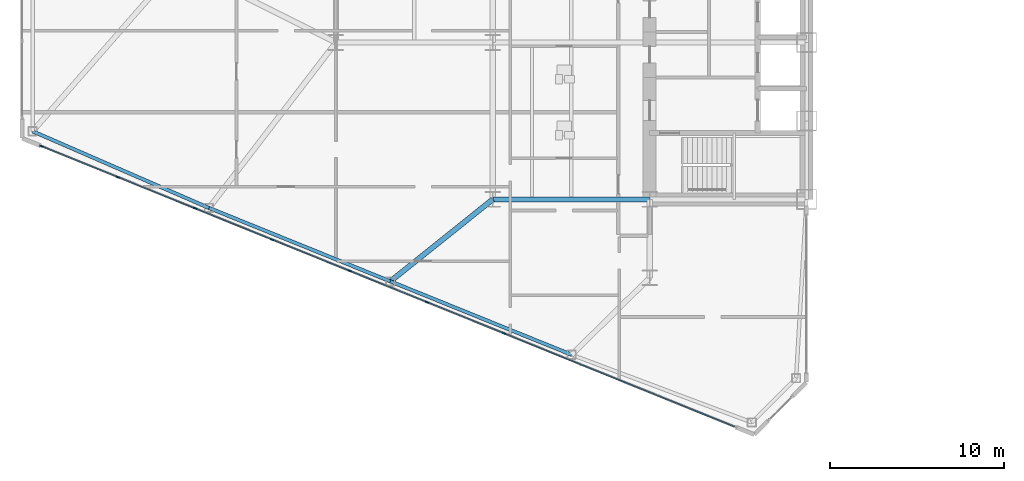
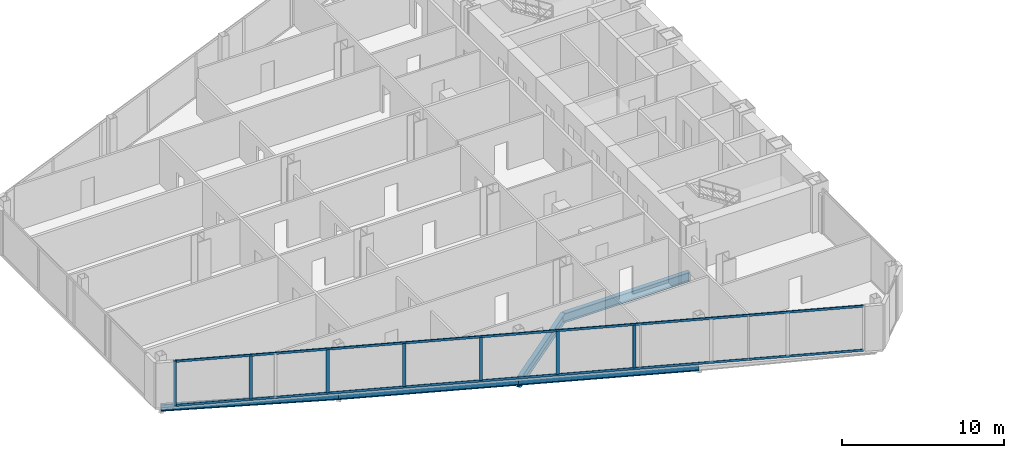
# One storey, part 3 of 25: 9 members, 5 beams, 1 element without a shape of its own.
"""IFC4 building model written with IfcOpenShell, lengths in metres."""

from ifc_helpers import new_model, si_unit, direction, frame, origin, origin_2d, place, context, subcontext, project, spatial, rectangle, i_section, extrude, source, transform, mapped, material, layer, layer_set, material_profile, profile_set, type_object, type_shapes, element, aggregate, save


model = new_model("IFC4")

# Units and contexts
model_context = context("Model", 3, precision=1e-05, world=origin(), true_north=direction((0.0, 1.0)))
body_context = subcontext(model_context, "Body", "Model", "MODEL_VIEW")
ifc_project = project(units=[si_unit("LENGTHUNIT", "METRE"), si_unit("AREAUNIT", "SQUARE_METRE"), si_unit("VOLUMEUNIT", "CUBIC_METRE"), si_unit("PLANEANGLEUNIT", "RADIAN"), si_unit("MASSUNIT", "GRAM", prefix="KILO")], contexts=[model_context])

# Site, building, storey
site_placement = place(None, origin())
site = spatial("IfcSite", under=ifc_project, at=site_placement, CompositionType="ELEMENT")
building_placement = place(site_placement, origin())
building = spatial("IfcBuilding", under=site, at=building_placement, Name="Seokmaru Belvedere", CompositionType="ELEMENT")
storey_placement = place(building_placement, frame((0.0, 0.0, 47.699951171875)))
storey = spatial("IfcBuildingStorey", under=building, at=storey_placement, Name="L12", CompositionType="ELEMENT", Elevation=47.699951171875)

# Beams
ifc_material_1 = material(Name="Steel SM355 (355 MPa)", Category="steel")
ifc_material_profile_1 = material_profile(ifc_material_1, i_section(OverallWidth=0.300048828125, OverallDepth=0.699951171875, WebThickness=0.012939453125, FlangeThickness=0.02392578125, at=origin_2d()), Name="H-700x300x13x24")
ifc_profile_set_1 = profile_set([ifc_material_profile_1], Name="Steel SM355 (355 MPa)")
beam_type_1 = type_object("IfcBeamType", Name="Primary Floor Girder H-700", PredefinedType="BEAM", material=ifc_profile_set_1)
shared_shape_1 = source(origin(), body_context, "Body", "SweptSolid", [
    extrude(i_section(OverallWidth=0.300048828125, OverallDepth=0.699951171875, WebThickness=0.012939453125, FlangeThickness=0.02392578125, at=origin_2d()), origin(), (0.0, 0.0, 1.0), 9.0),
])
beam_1_placement = place(storey_placement, frame((-45.5, -13.5, -0.570068359375), z_axis=(1.0, 0.0, 0.0), x_axis=(0.0, 1.0, 0.0)))
element("IfcBeam", 1, at=beam_1_placement, inside=storey, type_object=beam_type_1, Name="L12 W Wing Primary Girder 1", PredefinedType="BEAM", context=body_context, shape_type="MappedRepresentation", body=[
    mapped(shared_shape_1, transform((0.0, 0.0, 0.0), scale=1.0)),
])
ifc_material_profile_2 = material_profile(ifc_material_1, i_section(OverallWidth=0.199951171875, OverallDepth=0.5, WebThickness=0.010009765625, FlangeThickness=0.01611328125, at=origin_2d()), Name="H-500x200x10x16")
ifc_profile_set_2 = profile_set([ifc_material_profile_2], Name="Steel SM355 (355 MPa)")
beam_type_2 = type_object("IfcBeamType", Name="Perimeter Spandrel Beam H-500", PredefinedType="SPANDREL", material=ifc_profile_set_2)
shared_shape_2 = source(origin(), body_context, "Body", "SweptSolid", [
    extrude(i_section(OverallWidth=0.199951171875, OverallDepth=0.5, WebThickness=0.010009765625, FlangeThickness=0.01611328125, at=origin_2d()), origin(), (0.0, 0.0, 1.0), 11.220703125),
])
for number, where, z_axis, x_axis, name in (
    (2, (-40.977294921875, -22.4140625, -0.469970703125), (-0.926944290816, 0.375198989503, 0.0), (-0.375198989503, -0.926944290816, 0.0), "L12 W Faceted Flank Spandrel S-2"),
    (3, (-51.378173828125, -18.2041015625, -0.469970703125), (-0.926944290816, 0.375198989503, 0.0), (-0.375198989503, -0.926944290816, 0.0), "L12 W Faceted Flank Spandrel S-3"),
):
    element("IfcBeam", number, at=place(storey_placement, frame(where, z_axis=z_axis, x_axis=x_axis)), inside=storey, type_object=beam_type_2, Name=name, PredefinedType="SPANDREL", context=body_context, shape_type="MappedRepresentation", body=[
        mapped(shared_shape_2, transform((0.0, 0.0, 0.0), scale=1.0)),
    ])
shared_shape_3 = source(origin(), body_context, "Body", "SweptSolid", [
    extrude(i_section(OverallWidth=0.199951171875, OverallDepth=0.5, WebThickness=0.010009765625, FlangeThickness=0.01611328125, at=origin_2d()), origin(), (0.0, 0.0, 1.0), 11.035400390625),
])
type_shapes(beam_type_2, [shared_shape_2, shared_shape_3])
beam_2_placement = place(storey_placement, frame((-61.779052734375, -13.994140625, -0.469970703125), z_axis=(-0.917134058682, 0.398578873507, 0.0), x_axis=(-0.398578873507, -0.917134058682, 0.0)))
element("IfcBeam", 4, at=beam_2_placement, inside=storey, type_object=beam_type_2, Name="L12 W Faceted Flank Spandrel S-4", PredefinedType="SPANDREL", context=body_context, shape_type="MappedRepresentation", body=[
    mapped(shared_shape_3, transform((0.0, 0.0, 0.0), scale=1.0)),
])
shared_shape_4 = source(origin(), body_context, "Body", "SweptSolid", [
    extrude(i_section(OverallWidth=0.300048828125, OverallDepth=0.699951171875, WebThickness=0.012939453125, FlangeThickness=0.02392578125, at=origin_2d()), origin(), (0.0, 0.0, 1.0), 7.52880859375),
])
type_shapes(beam_type_1, [shared_shape_1, shared_shape_4])
beam_3_placement = place(storey_placement, frame((-51.378173828125, -18.2041015625, -0.570068359375), z_axis=(0.780767560736, 0.624821587418, 0.0), x_axis=(-0.624821587418, 0.780767560736, 0.0)))
element("IfcBeam", 5, at=beam_3_placement, inside=storey, type_object=beam_type_1, Name="L12 W Flank Radial Floor Girder S-2", PredefinedType="BEAM", context=body_context, shape_type="MappedRepresentation", body=[
    mapped(shared_shape_4, transform((0.0, 0.0, 0.0), scale=1.0)),
])

# Curtain wall, members
ifc_material_2 = material(Name="Bronze Triple Insulating Glass", Category="glass")
ifc_layer = layer(ifc_material_2, 0.2099609375)
ifc_layer_set = layer_set([ifc_layer], Name="Bronze Triple Insulating Glass")
curtain_wall_type = type_object("IfcCurtainWallType", Name="Low-Rise Faceted Crystal Curtain Wall System CW-2", PredefinedType="NOTDEFINED", material=ifc_layer_set)
curtain_wall_placement = place(storey_placement, origin())
curtain_wall = element("IfcCurtainWall", 6, at=curtain_wall_placement, inside=storey, type_object=curtain_wall_type, Name="L12 Curtain Wall WF5", PredefinedType="NOTDEFINED")
ifc_material_3 = material(Name="Anodised Bronze Aluminium", Category="aluminium")
ifc_material_profile_3 = material_profile(ifc_material_3, rectangle(XDim=0.074951171875, YDim=0.2099609375, at=origin_2d()), Name="CW-M-75x210")
ifc_profile_set_3 = profile_set([ifc_material_profile_3], Name="Anodised Bronze Aluminium")
member_type_1 = type_object("IfcMemberType", Name="Bronze Unitised Mullion 75x210", PredefinedType="MULLION", material=ifc_profile_set_3)
shared_shape_5 = source(origin(), body_context, "Body", "SweptSolid", [
    extrude(rectangle(XDim=0.074951171875, YDim=0.2099609375, at=origin_2d()), origin(), (0.0, 0.0, 1.0), 3.380126953125),
])
member_1_placement = place(storey_placement, frame((-71.399169921875, -10.445556640625, 0.0), z_axis=(0.0, 0.0, 1.0), x_axis=(0.375192321888, 0.926946989637, 0.0)))
member_1 = element("IfcMember", 7, at=member_1_placement, type_object=member_type_1, Name="CW:L12:WF5 Mullion 1", PredefinedType="MULLION", context=body_context, shape_type="MappedRepresentation", body=[
    mapped(shared_shape_5, transform((0.0, 0.0, 0.0), scale=1.0)),
])
shared_shape_6 = source(origin(), body_context, "Body", "SweptSolid", [
    extrude(rectangle(XDim=0.074951171875, YDim=0.2099609375, at=origin_2d()), origin(), (0.0, 0.0, 1.0), 3.239990234375),
])
type_shapes(member_type_1, [shared_shape_5, shared_shape_6])
member_2_placement = place(storey_placement, frame((-67.004150390625, -12.224609375, 0.070068359375), z_axis=(0.0, 0.0, 1.0), x_axis=(0.375192321888, 0.926946989637, 0.0)))
member_2 = element("IfcMember", 8, at=member_2_placement, type_object=member_type_1, Name="CW:L12:WF5 Mullion 2", PredefinedType="MULLION", context=body_context, shape_type="MappedRepresentation", body=[
    mapped(shared_shape_6, transform((0.0, 0.0, 0.0), scale=1.0)),
])
member_3_placement = place(storey_placement, frame((-62.574462890625, -14.017578125, 0.070068359375), z_axis=(0.0, 0.0, 1.0), x_axis=(0.375192321888, 0.926946989637, 0.0)))
member_3 = element("IfcMember", 9, at=member_3_placement, type_object=member_type_1, Name="CW:L12:WF5 Mullion 3", PredefinedType="MULLION", context=body_context, shape_type="MappedRepresentation", body=[
    mapped(shared_shape_6, transform((0.0, 0.0, 0.0), scale=1.0)),
])
member_4_placement = place(storey_placement, frame((-58.144775390625, -15.810546875, 0.070068359375), z_axis=(0.0, 0.0, 1.0), x_axis=(0.375192321888, 0.926946989637, 0.0)))
member_4 = element("IfcMember", 10, at=member_4_placement, type_object=member_type_1, Name="CW:L12:WF5 Mullion 4", PredefinedType="MULLION", context=body_context, shape_type="MappedRepresentation", body=[
    mapped(shared_shape_6, transform((0.0, 0.0, 0.0), scale=1.0)),
])
member_5_placement = place(storey_placement, frame((-53.71484375, -17.603515625, 0.070068359375), z_axis=(0.0, 0.0, 1.0), x_axis=(0.375192321888, 0.926946989637, 0.0)))
member_5 = element("IfcMember", 11, at=member_5_placement, type_object=member_type_1, Name="CW:L12:WF5 Mullion 5", PredefinedType="MULLION", context=body_context, shape_type="MappedRepresentation", body=[
    mapped(shared_shape_6, transform((0.0, 0.0, 0.0), scale=1.0)),
])
member_6_placement = place(storey_placement, frame((-49.28515625, -19.396484375, 0.070068359375), z_axis=(0.0, 0.0, 1.0), x_axis=(0.375192321888, 0.926946989637, 0.0)))
member_6 = element("IfcMember", 12, at=member_6_placement, type_object=member_type_1, Name="CW:L12:WF5 Mullion 6", PredefinedType="MULLION", context=body_context, shape_type="MappedRepresentation", body=[
    mapped(shared_shape_6, transform((0.0, 0.0, 0.0), scale=1.0)),
])
member_7_placement = place(storey_placement, frame((-44.855224609375, -21.189453125, 0.070068359375), z_axis=(0.0, 0.0, 1.0), x_axis=(0.375192321888, 0.926946989637, 0.0)))
member_7 = element("IfcMember", 13, at=member_7_placement, type_object=member_type_1, Name="CW:L12:WF5 Mullion 7", PredefinedType="MULLION", context=body_context, shape_type="MappedRepresentation", body=[
    mapped(shared_shape_6, transform((0.0, 0.0, 0.0), scale=1.0)),
])
ifc_material_profile_4 = material_profile(ifc_material_3, rectangle(XDim=0.070068359375, YDim=0.1650390625, at=origin_2d()), Name="CW-T-70x165")
ifc_profile_set_4 = profile_set([ifc_material_profile_4], Name="Anodised Bronze Aluminium")
member_type_2 = type_object("IfcMemberType", Name="Bronze Unitised Transom 70x165", PredefinedType="USERDEFINED", material=ifc_profile_set_4)
shared_shape_7 = source(origin(), body_context, "Body", "SweptSolid", [
    extrude(rectangle(XDim=0.070068359375, YDim=0.1650390625, at=origin_2d()), origin(), (0.0, 0.0, 1.0), 42.860107421875),
])
type_shapes(member_type_2, [shared_shape_7])
member_8_placement = place(storey_placement, frame((-71.364501953125, -10.459716796875, 0.03515625), z_axis=(0.926948605599, -0.375188329481, 0.0), x_axis=(0.375188329481, 0.926948605599, 0.0)))
member_8 = element("IfcMember", 14, at=member_8_placement, type_object=member_type_2, Name="CW:L12:WF5 Continuous Transom 1", ObjectType="TRANSOM", PredefinedType="USERDEFINED", context=body_context, shape_type="MappedRepresentation", body=[
    mapped(shared_shape_7, transform((0.0, 0.0, 0.0), scale=1.0)),
])
member_9_placement = place(storey_placement, frame((-71.364501953125, -10.459716796875, 3.344970703125), z_axis=(0.926948605599, -0.375188329481, 0.0), x_axis=(0.375188329481, 0.926948605599, 0.0)))
member_9 = element("IfcMember", 15, at=member_9_placement, type_object=member_type_2, Name="CW:L12:WF5 Continuous Transom 2", ObjectType="TRANSOM", PredefinedType="USERDEFINED", context=body_context, shape_type="MappedRepresentation", body=[
    mapped(shared_shape_7, transform((0.0, 0.0, 0.0), scale=1.0)),
])
aggregate(curtain_wall, [member_1, member_2, member_3, member_4, member_5, member_6, member_7, member_8, member_9])

save(model, "model.ifc")
